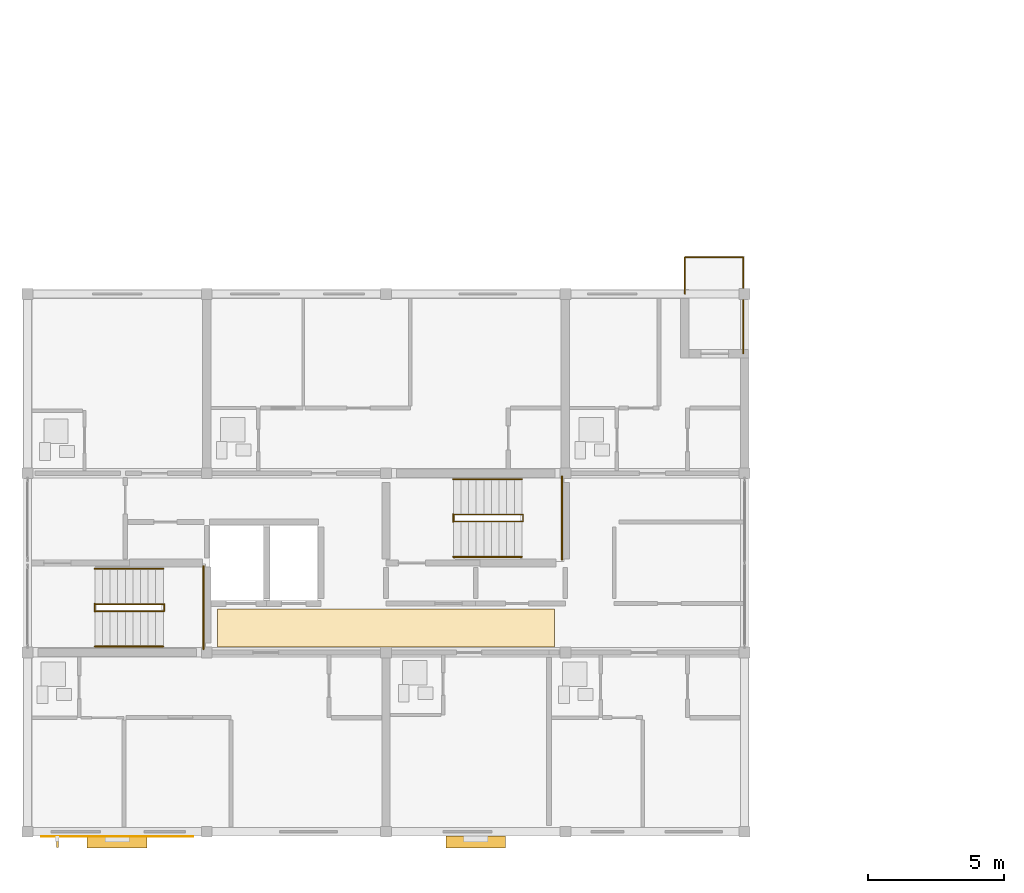
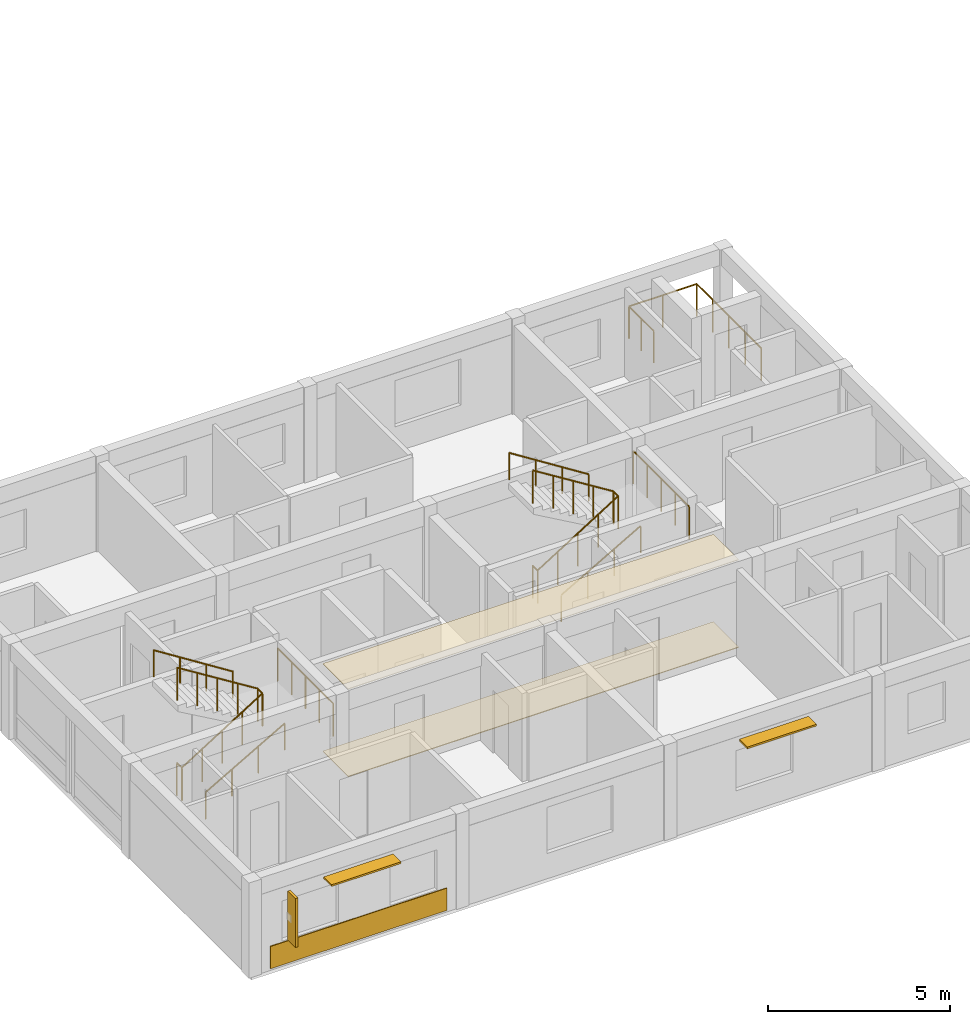
# One storey, part 47 of 53: 11 railings, 3 coverings, 3 shading devices.
"""IFC4 building model written with IfcOpenShell, lengths in metres."""

from ifc_helpers import new_model, si_unit, direction, frame, origin, origin_2d, place, context, subcontext, project, spatial, polyline, rectangle, circle, outline, extrude, material, layer, layer_set, type_object, element, save


model = new_model("IFC4")

# Units and contexts
model_context = context("Model", 3, precision=1e-05, world=origin(), true_north=direction((0.0, 1.0)))
body_context = subcontext(model_context, "Body", "Model", "MODEL_VIEW")
ifc_project = project(units=[si_unit("LENGTHUNIT", "METRE"), si_unit("AREAUNIT", "SQUARE_METRE"), si_unit("VOLUMEUNIT", "CUBIC_METRE"), si_unit("PLANEANGLEUNIT", "RADIAN"), si_unit("MASSUNIT", "GRAM", prefix="KILO")], contexts=[model_context])

# Site, building, storey
site_placement = place(None, origin())
site = spatial("IfcSite", under=ifc_project, at=site_placement, CompositionType="ELEMENT")
building_placement = place(site_placement, origin())
building = spatial("IfcBuilding", under=site, at=building_placement, Name="Kernevlak Ridge Housing Community", CompositionType="ELEMENT")
storey_placement = place(building_placement, frame((0.0, 0.0, 18.0)))
storey = spatial("IfcBuildingStorey", under=building, at=storey_placement, Name="L05", CompositionType="ELEMENT", Elevation=18.0)

# Railing
ifc_material_1 = material(Name="Steel S355", Category="steel")
railing_type_1 = type_object("IfcRailingType", Name="BL-01", PredefinedType="BALUSTRADE", material=ifc_material_1)
railing_1_placement = place(storey_placement, frame((39.800048828125, 35.39990234375, 0.0)))
element("IfcRailing", 1, at=railing_1_placement, inside=storey, type_object=railing_type_1, Name="Block D L05 balcony balustrade BL-01 51", PredefinedType="BALUSTRADE", context=body_context, shape_type="SweptSolid", body=[
    extrude(circle(Radius=0.02392578125, at=origin_2d()), frame((0.0, 0.0, 1.076171875), z_axis=(0.0, 1.0, 0.0), x_axis=(-1.0, 0.0, 0.0)), (0.0, 0.0, 1.0), 1.35009765625),
    extrude(circle(Radius=0.02392578125, at=origin_2d()), frame((0.0, 1.35009765625, 1.076171875), z_axis=(1.0, 0.0, 0.0), x_axis=(0.0, 1.0, 0.0)), (0.0, 0.0, 1.0), 2.14990234375),
    extrude(circle(Radius=0.02392578125, at=origin_2d()), frame((2.14990234375, 1.35009765625, 1.076171875), z_axis=(0.0, -1.0, 0.0), x_axis=(1.0, 0.0, 0.0)), (0.0, 0.0, 1.0), 3.550048828125),
    extrude(circle(Radius=0.02099609375, at=origin_2d()), origin(), (0.0, 0.0, 1.0), 1.052001953125),
    extrude(circle(Radius=0.02099609375, at=origin_2d()), frame((0.0, 0.675048828125, 0.0)), (0.0, 0.0, 1.0), 1.052001953125),
    extrude(circle(Radius=0.02099609375, at=origin_2d()), frame((0.0, 1.35009765625, 0.0)), (0.0, 0.0, 1.0), 1.052001953125),
    extrude(circle(Radius=0.02099609375, at=origin_2d()), frame((1.074951171875, 1.35009765625, 0.0)), (0.0, 0.0, 1.0), 1.052001953125),
    extrude(circle(Radius=0.02099609375, at=origin_2d()), frame((2.14990234375, 1.35009765625, 0.0)), (0.0, 0.0, 1.0), 1.052001953125),
    extrude(circle(Radius=0.02099609375, at=origin_2d()), frame((2.14990234375, 0.462646484375, 0.0)), (0.0, 0.0, 1.0), 1.052001953125),
    extrude(circle(Radius=0.02099609375, at=origin_2d()), frame((2.14990234375, -0.4248046875, 0.0)), (0.0, 0.0, 1.0), 1.052001953125),
    extrude(circle(Radius=0.02099609375, at=origin_2d()), frame((2.14990234375, -1.3125, 0.0)), (0.0, 0.0, 1.0), 1.052001953125),
    extrude(circle(Radius=0.02099609375, at=origin_2d()), frame((2.14990234375, -2.199951171875, 0.0)), (0.0, 0.0, 1.0), 1.052001953125),
])

# Coverings
ifc_material_2 = material(Name="Acoustic perforated gypsum ceiling board")
ifc_layer_1 = layer(ifc_material_2, 0.02001953125, Name="Acoustic perforated gypsum ceiling board")
ifc_layer_set_1 = layer_set([ifc_layer_1], Name="Acoustic perforated gypsum ceiling board")
covering_type_1 = type_object("IfcCoveringType", Name="CV-01", PredefinedType="CEILING", material=ifc_layer_set_1)
covering_1_placement = place(storey_placement, frame((0.0, 0.0, 2.93994140625)))
element("IfcCovering", 2, at=covering_1_placement, inside=storey, type_object=covering_type_1, Name="Block D L05 lobby acoustic ceiling", PredefinedType="CEILING", context=body_context, shape_type="SweptSolid", body=[
    extrude(outline(polyline([(22.60009765625, 22.39990234375), (35.0, 22.39990234375), (35.0, 23.800048828125), (22.60009765625, 23.800048828125), (22.60009765625, 22.39990234375)])), origin(), (0.0, 0.0, 1.0), 0.02001953125),
])
ifc_material_3 = material(Name="Polished pale terrazzo tile flooring")
ifc_layer_2 = layer(ifc_material_3, 0.02490234375, Name="Polished pale terrazzo tile flooring")
ifc_layer_set_2 = layer_set([ifc_layer_2], Name="Polished pale terrazzo tile flooring")
covering_type_2 = type_object("IfcCoveringType", Name="CV-02", PredefinedType="FLOORING", material=ifc_layer_set_2)
covering_2_placement = place(storey_placement, origin())
element("IfcCovering", 3, at=covering_2_placement, inside=storey, type_object=covering_type_2, Name="Block D L05 lobby terrazzo flooring", PredefinedType="FLOORING", context=body_context, shape_type="SweptSolid", body=[
    extrude(outline(polyline([(22.60009765625, 22.39990234375), (35.0, 22.39990234375), (35.0, 23.800048828125), (22.60009765625, 23.800048828125), (22.60009765625, 22.39990234375)])), origin(), (0.0, 0.0, 1.0), 0.02490234375),
])
ifc_material_4 = material(Name="Aluminium EN AW-5005 enamelled cladding", Category="aluminium")
ifc_layer_3 = layer(ifc_material_4, 0.030029296875, Name="Aluminium EN AW-5005 enamelled cladding")
ifc_layer_set_3 = layer_set([ifc_layer_3], Name="Aluminium EN AW-5005 enamelled cladding")
covering_type_3 = type_object("IfcCoveringType", Name="CV-04", PredefinedType="CLADDING", material=ifc_layer_set_3)
covering_3_placement = place(storey_placement, frame((18.89990234375, 15.425048828125, 0.074951171875), z_axis=(0.0, 0.0, 1.0), x_axis=(1.0, 0.0, 0.0)))
element("IfcCovering", 4, at=covering_3_placement, inside=storey, type_object=covering_type_3, Name="Block D L05 De Stijl blue spandrel cladding", PredefinedType="CLADDING", context=body_context, shape_type="SweptSolid", body=[
    extrude(rectangle(XDim=5.60009765625, YDim=0.030029296875, at=origin_2d()), origin(), (0.0, 0.0, 1.0), 0.75),
])

# Railings
railing_type_2 = type_object("IfcRailingType", Name="GR-02", PredefinedType="GUARDRAIL", material=ifc_material_1)
railing_2_placement = place(storey_placement, frame((18.080078125, 23.7099609375, 0.0)))
element("IfcRailing", 5, at=railing_2_placement, inside=storey, type_object=railing_type_2, Name="Stair ST-D1 L05 well slot guard", PredefinedType="GUARDRAIL", context=body_context, shape_type="SweptSolid", body=[
    extrude(circle(Radius=0.02392578125, at=origin_2d()), frame((0.0, 0.0, 1.09619140625), z_axis=(0.0, 1.0, 0.0), x_axis=(-1.0, 0.0, 0.0)), (0.0, 0.0, 1.0), 0.280029296875),
    extrude(circle(Radius=0.02099609375, at=origin_2d()), origin(), (0.0, 0.0, 1.0), 1.072021484375),
    extrude(circle(Radius=0.02099609375, at=origin_2d()), frame((0.0, 0.280029296875, 0.0)), (0.0, 0.0, 1.0), 1.072021484375),
])
railing_3_placement = place(storey_placement, frame((18.080078125, 23.719970703125, 0.0)))
element("IfcRailing", 6, at=railing_3_placement, inside=storey, type_object=railing_type_2, Name="Stair ST-D1 L05 inner well guardrail", PredefinedType="GUARDRAIL", context=body_context, shape_type="SweptSolid", body=[
    extrude(circle(Radius=0.02392578125, at=origin_2d()), frame((0.0, 0.0, 1.09619140625), z_axis=(0.847966497998, 0.0, 0.530049826217), x_axis=(0.0, 1.0, 0.0)), (0.0, 0.0, 1.0), 3.018798828125),
    extrude(circle(Radius=0.02392578125, at=origin_2d()), frame((2.559814453125, 0.0, 2.6962890625), z_axis=(0.0, 1.0, 0.0), x_axis=(-1.0, 0.0, 0.0)), (0.0, 0.0, 1.0), 0.260009765625),
    extrude(circle(Radius=0.02392578125, at=origin_2d()), frame((2.559814453125, 0.260009765625, 2.6962890625), z_axis=(-0.848002847666, 0.0, 0.529991670077), x_axis=(0.0, -1.0, 0.0)), (0.0, 0.0, 1.0), 3.0185546875),
    extrude(circle(Radius=0.02099609375, at=origin_2d()), origin(), (0.0, 0.0, 1.0), 1.072021484375),
    extrude(circle(Radius=0.02099609375, at=origin_2d()), frame((0.639892578125, 0.0, 0.39990234375)), (0.0, 0.0, 1.0), 1.072021484375),
    extrude(circle(Radius=0.02099609375, at=origin_2d()), frame((1.27978515625, 0.0, 0.800048828125)), (0.0, 0.0, 1.0), 1.072021484375),
    extrude(circle(Radius=0.02099609375, at=origin_2d()), frame((1.919921875, 0.0, 1.2001953125)), (0.0, 0.0, 1.0), 1.072021484375),
    extrude(circle(Radius=0.02099609375, at=origin_2d()), frame((2.559814453125, 0.0, 1.60009765625)), (0.0, 0.0, 1.0), 1.072021484375),
    extrude(circle(Radius=0.02099609375, at=origin_2d()), frame((2.559814453125, 0.260009765625, 1.60009765625)), (0.0, 0.0, 1.0), 1.072021484375),
    extrude(circle(Radius=0.02099609375, at=origin_2d()), frame((1.919921875, 0.260009765625, 2.0)), (0.0, 0.0, 1.0), 1.072021484375),
    extrude(circle(Radius=0.02099609375, at=origin_2d()), frame((1.27978515625, 0.260009765625, 2.39990234375)), (0.0, 0.0, 1.0), 1.072021484375),
    extrude(circle(Radius=0.02099609375, at=origin_2d()), frame((0.639892578125, 0.260009765625, 2.800048828125)), (0.0, 0.0, 1.0), 1.072021484375),
    extrude(circle(Radius=0.02099609375, at=origin_2d()), frame((0.0, 0.260009765625, 3.199951171875)), (0.0, 0.0, 1.0), 1.072021484375),
])
railing_4_placement = place(storey_placement, frame((22.080078125, 22.320068359375, 1.60009765625)))
element("IfcRailing", 7, at=railing_4_placement, inside=storey, type_object=railing_type_2, Name="Stair ST-D1 L05 half-landing guard", PredefinedType="GUARDRAIL", context=body_context, shape_type="SweptSolid", body=[
    extrude(circle(Radius=0.02392578125, at=origin_2d()), frame((0.0, 0.0, 1.09619140625), z_axis=(0.0, 1.0, 0.0), x_axis=(-1.0, 0.0, 0.0)), (0.0, 0.0, 1.0), 3.059814453125),
    extrude(circle(Radius=0.02099609375, at=origin_2d()), origin(), (0.0, 0.0, 1.0), 1.072021484375),
    extrude(circle(Radius=0.02099609375, at=origin_2d()), frame((0.0, 0.764892578125, 0.0)), (0.0, 0.0, 1.0), 1.072021484375),
    extrude(circle(Radius=0.02099609375, at=origin_2d()), frame((0.0, 1.52978515625, 0.0)), (0.0, 0.0, 1.0), 1.072021484375),
    extrude(circle(Radius=0.02099609375, at=origin_2d()), frame((0.0, 2.294921875, 0.0)), (0.0, 0.0, 1.0), 1.072021484375),
    extrude(circle(Radius=0.02099609375, at=origin_2d()), frame((0.0, 3.059814453125, 0.0)), (0.0, 0.0, 1.0), 1.072021484375),
])
railing_5_placement = place(storey_placement, frame((31.280029296875, 27.010009765625, 0.0)))
element("IfcRailing", 8, at=railing_5_placement, inside=storey, type_object=railing_type_2, Name="Stair ST-D2 L05 well slot guard", PredefinedType="GUARDRAIL", context=body_context, shape_type="SweptSolid", body=[
    extrude(circle(Radius=0.02392578125, at=origin_2d()), frame((0.0, 0.0, 1.09619140625), z_axis=(0.0, 1.0, 0.0), x_axis=(-1.0, 0.0, 0.0)), (0.0, 0.0, 1.0), 0.280029296875),
    extrude(circle(Radius=0.02099609375, at=origin_2d()), origin(), (0.0, 0.0, 1.0), 1.072021484375),
    extrude(circle(Radius=0.02099609375, at=origin_2d()), frame((0.0, 0.280029296875, 0.0)), (0.0, 0.0, 1.0), 1.072021484375),
])
railing_6_placement = place(storey_placement, frame((31.280029296875, 27.02001953125, 0.0)))
element("IfcRailing", 9, at=railing_6_placement, inside=storey, type_object=railing_type_2, Name="Stair ST-D2 L05 inner well guardrail", PredefinedType="GUARDRAIL", context=body_context, shape_type="SweptSolid", body=[
    extrude(circle(Radius=0.02392578125, at=origin_2d()), frame((0.0, 0.0, 1.09619140625), z_axis=(0.847989217509, 0.0, 0.530013478119), x_axis=(0.0, 1.0, 0.0)), (0.0, 0.0, 1.0), 3.01904296875),
    extrude(circle(Radius=0.02392578125, at=origin_2d()), frame((2.56005859375, 0.0, 2.6962890625), z_axis=(0.0, 1.0, 0.0), x_axis=(-1.0, 0.0, 0.0)), (0.0, 0.0, 1.0), 0.260009765625),
    extrude(circle(Radius=0.02392578125, at=origin_2d()), frame((2.56005859375, 0.260009765625, 2.6962890625), z_axis=(-0.848025563165, 0.0, 0.529955322851), x_axis=(0.0, -1.0, 0.0)), (0.0, 0.0, 1.0), 3.018798828125),
    extrude(circle(Radius=0.02099609375, at=origin_2d()), origin(), (0.0, 0.0, 1.0), 1.072021484375),
    extrude(circle(Radius=0.02099609375, at=origin_2d()), frame((0.64013671875, 0.0, 0.39990234375)), (0.0, 0.0, 1.0), 1.072021484375),
    extrude(circle(Radius=0.02099609375, at=origin_2d()), frame((1.280029296875, 0.0, 0.800048828125)), (0.0, 0.0, 1.0), 1.072021484375),
    extrude(circle(Radius=0.02099609375, at=origin_2d()), frame((1.919921875, 0.0, 1.2001953125)), (0.0, 0.0, 1.0), 1.072021484375),
    extrude(circle(Radius=0.02099609375, at=origin_2d()), frame((2.56005859375, 0.0, 1.60009765625)), (0.0, 0.0, 1.0), 1.072021484375),
    extrude(circle(Radius=0.02099609375, at=origin_2d()), frame((2.56005859375, 0.260009765625, 1.60009765625)), (0.0, 0.0, 1.0), 1.072021484375),
    extrude(circle(Radius=0.02099609375, at=origin_2d()), frame((1.919921875, 0.260009765625, 2.0)), (0.0, 0.0, 1.0), 1.072021484375),
    extrude(circle(Radius=0.02099609375, at=origin_2d()), frame((1.280029296875, 0.260009765625, 2.39990234375)), (0.0, 0.0, 1.0), 1.072021484375),
    extrude(circle(Radius=0.02099609375, at=origin_2d()), frame((0.64013671875, 0.260009765625, 2.800048828125)), (0.0, 0.0, 1.0), 1.072021484375),
    extrude(circle(Radius=0.02099609375, at=origin_2d()), frame((0.0, 0.260009765625, 3.199951171875)), (0.0, 0.0, 1.0), 1.072021484375),
])
railing_7_placement = place(storey_placement, frame((35.280029296875, 25.6201171875, 1.60009765625)))
element("IfcRailing", 10, at=railing_7_placement, inside=storey, type_object=railing_type_2, Name="Stair ST-D2 L05 half-landing guard", PredefinedType="GUARDRAIL", context=body_context, shape_type="SweptSolid", body=[
    extrude(circle(Radius=0.02392578125, at=origin_2d()), frame((0.0, 0.0, 1.09619140625), z_axis=(0.0, 1.0, 0.0), x_axis=(-1.0, 0.0, 0.0)), (0.0, 0.0, 1.0), 3.059814453125),
    extrude(circle(Radius=0.02099609375, at=origin_2d()), origin(), (0.0, 0.0, 1.0), 1.072021484375),
    extrude(circle(Radius=0.02099609375, at=origin_2d()), frame((0.0, 0.764892578125, 0.0)), (0.0, 0.0, 1.0), 1.072021484375),
    extrude(circle(Radius=0.02099609375, at=origin_2d()), frame((0.0, 1.52978515625, 0.0)), (0.0, 0.0, 1.0), 1.072021484375),
    extrude(circle(Radius=0.02099609375, at=origin_2d()), frame((0.0, 2.294921875, 0.0)), (0.0, 0.0, 1.0), 1.072021484375),
    extrude(circle(Radius=0.02099609375, at=origin_2d()), frame((0.0, 3.059814453125, 0.0)), (0.0, 0.0, 1.0), 1.072021484375),
])
ifc_material_5 = material(Name="Stainless steel EN 1.4401", Category="steel")
railing_type_3 = type_object("IfcRailingType", Name="HR-01", PredefinedType="HANDRAIL", material=ifc_material_5)
railing_8_placement = place(storey_placement, frame((18.080078125, 22.419921875, 0.159912109375)))
element("IfcRailing", 11, at=railing_8_placement, inside=storey, type_object=railing_type_3, Name="Stair ST-D1 L05 flight 1 handrail", PredefinedType="HANDRAIL", context=body_context, shape_type="SweptSolid", body=[
    extrude(circle(Radius=0.02392578125, at=origin_2d()), frame((0.0, 0.0, 0.89599609375), z_axis=(0.868217259934, 0.0, 0.496184229447), x_axis=(0.0, 1.0, 0.0)), (0.0, 0.0, 1.0), 2.902587890625),
    extrude(circle(Radius=0.02099609375, at=origin_2d()), origin(), (0.0, 0.0, 1.0), 0.871826171875),
    extrude(circle(Radius=0.02099609375, at=origin_2d()), frame((0.840087890625, 0.0, 0.47998046875)), (0.0, 0.0, 1.0), 0.871826171875),
    extrude(circle(Radius=0.02099609375, at=origin_2d()), frame((1.679931640625, 0.0, 0.960205078125)), (0.0, 0.0, 1.0), 0.871826171875),
    extrude(circle(Radius=0.02099609375, at=origin_2d()), frame((2.52001953125, 0.0, 1.440185546875)), (0.0, 0.0, 1.0), 0.871826171875),
])
railing_9_placement = place(storey_placement, frame((20.60009765625, 25.280029296875, 1.60009765625)))
element("IfcRailing", 12, at=railing_9_placement, inside=storey, type_object=railing_type_3, Name="Stair ST-D1 L05 flight 2 handrail", PredefinedType="HANDRAIL", context=body_context, shape_type="SweptSolid", body=[
    extrude(circle(Radius=0.02392578125, at=origin_2d()), frame((0.0, 0.0, 0.89599609375), z_axis=(-0.84423690053, 0.0, 0.535970200462), x_axis=(0.0, -1.0, 0.0)), (0.0, 0.0, 1.0), 2.98486328125),
    extrude(circle(Radius=0.02099609375, at=origin_2d()), origin(), (0.0, 0.0, 1.0), 0.871826171875),
    extrude(circle(Radius=0.02099609375, at=origin_2d()), frame((-0.840087890625, 0.0, 0.533203125)), (0.0, 0.0, 1.0), 0.871826171875),
    extrude(circle(Radius=0.02099609375, at=origin_2d()), frame((-1.679931640625, 0.0, 1.066650390625)), (0.0, 0.0, 1.0), 0.871826171875),
    extrude(circle(Radius=0.02099609375, at=origin_2d()), frame((-2.52001953125, 0.0, 1.599853515625)), (0.0, 0.0, 1.0), 0.871826171875),
])
railing_10_placement = place(storey_placement, frame((31.280029296875, 25.719970703125, 0.159912109375)))
element("IfcRailing", 13, at=railing_10_placement, inside=storey, type_object=railing_type_3, Name="Stair ST-D2 L05 flight 1 handrail", PredefinedType="HANDRAIL", context=body_context, shape_type="SweptSolid", body=[
    extrude(circle(Radius=0.02392578125, at=origin_2d()), frame((0.0, 0.0, 0.89599609375), z_axis=(0.868217259934, 0.0, 0.496184229447), x_axis=(0.0, 1.0, 0.0)), (0.0, 0.0, 1.0), 2.902587890625),
    extrude(circle(Radius=0.02099609375, at=origin_2d()), origin(), (0.0, 0.0, 1.0), 0.871826171875),
    extrude(circle(Radius=0.02099609375, at=origin_2d()), frame((0.840087890625, 0.0, 0.47998046875)), (0.0, 0.0, 1.0), 0.871826171875),
    extrude(circle(Radius=0.02099609375, at=origin_2d()), frame((1.679931640625, 0.0, 0.960205078125)), (0.0, 0.0, 1.0), 0.871826171875),
    extrude(circle(Radius=0.02099609375, at=origin_2d()), frame((2.52001953125, 0.0, 1.440185546875)), (0.0, 0.0, 1.0), 0.871826171875),
])
railing_11_placement = place(storey_placement, frame((33.800048828125, 28.580078125, 1.60009765625)))
element("IfcRailing", 14, at=railing_11_placement, inside=storey, type_object=railing_type_3, Name="Stair ST-D2 L05 flight 2 handrail", PredefinedType="HANDRAIL", context=body_context, shape_type="SweptSolid", body=[
    extrude(circle(Radius=0.02392578125, at=origin_2d()), frame((0.0, 0.0, 0.89599609375), z_axis=(-0.84423690053, 0.0, 0.535970200462), x_axis=(0.0, -1.0, 0.0)), (0.0, 0.0, 1.0), 2.98486328125),
    extrude(circle(Radius=0.02099609375, at=origin_2d()), origin(), (0.0, 0.0, 1.0), 0.871826171875),
    extrude(circle(Radius=0.02099609375, at=origin_2d()), frame((-0.840087890625, 0.0, 0.533203125)), (0.0, 0.0, 1.0), 0.871826171875),
    extrude(circle(Radius=0.02099609375, at=origin_2d()), frame((-1.679931640625, 0.0, 1.066650390625)), (0.0, 0.0, 1.0), 0.871826171875),
    extrude(circle(Radius=0.02099609375, at=origin_2d()), frame((-2.52001953125, 0.0, 1.599853515625)), (0.0, 0.0, 1.0), 0.871826171875),
])

# Shading devices
ifc_material_6 = material(Name="Aluminium EN AW-6060 anodised", Category="aluminium")
ifc_layer_4 = layer(ifc_material_6, 0.06005859375, Name="Aluminium EN AW-6060 anodised")
ifc_layer_set_4 = layer_set([ifc_layer_4], Name="Aluminium EN AW-6060 anodised")
shading_device_type_1 = type_object("IfcShadingDeviceType", Name="LV-01", PredefinedType="JALOUSIE", material=ifc_layer_set_4)
for number, where, z_axis, x_axis, name in (
    (15, (18.89990234375, 15.219970703125, 2.489990234375), (0.0, 0.0, 1.0), (1.0, 0.0, 0.0), "Horizontal solar louvre 41"),
    (16, (32.10009765625, 15.219970703125, 2.489990234375), (0.0, 0.0, 1.0), (1.0, 0.0, 0.0), "Horizontal solar louvre 42"),
):
    element("IfcShadingDevice", number, at=place(storey_placement, frame(where, z_axis=z_axis, x_axis=x_axis)), inside=storey, type_object=shading_device_type_1, Name=name, PredefinedType="JALOUSIE", context=body_context, shape_type="SweptSolid", body=[
        extrude(rectangle(XDim=2.199951171875, YDim=0.43994140625, at=origin_2d()), origin(), (0.0, 0.0, 1.0), 0.06005859375),
    ])
ifc_material_7 = material(Name="Aluminium EN AW-6060 enamelled", Category="aluminium")
shading_device_type_2 = type_object("IfcShadingDeviceType", Name="LV-02", PredefinedType="USERDEFINED", material=ifc_material_7)
shading_device_placement = place(storey_placement, frame((16.699951171875, 15.22998046875, 0.824951171875), z_axis=(0.0, 0.0, 1.0), x_axis=(1.0, 0.0, 0.0)))
element("IfcShadingDevice", 17, at=shading_device_placement, inside=storey, type_object=shading_device_type_2, Name="De Stijl yellow vertical solar fin 41", ObjectType="LOUVRE", PredefinedType="USERDEFINED", context=body_context, shape_type="SweptSolid", body=[
    extrude(rectangle(XDim=0.080078125, YDim=0.419921875, at=origin_2d()), origin(), (0.0, 0.0, 1.0), 1.64990234375),
])

save(model, "model.ifc")
